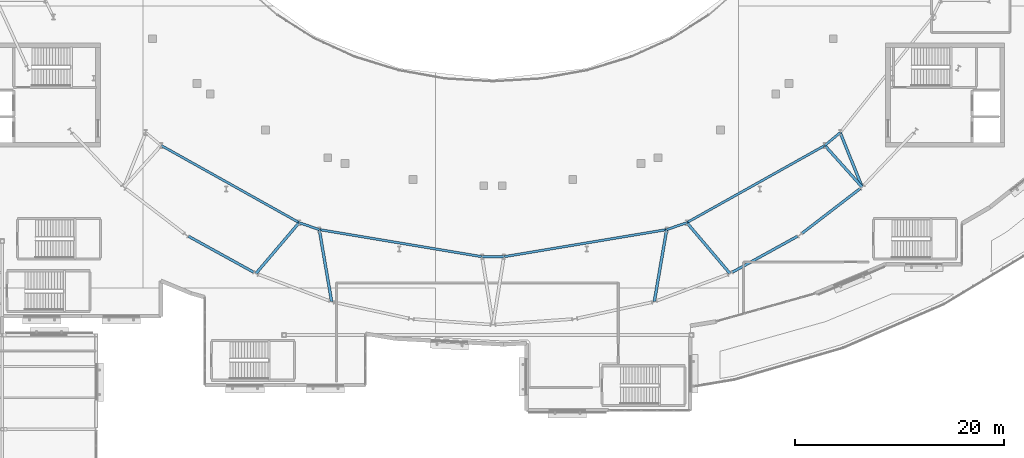
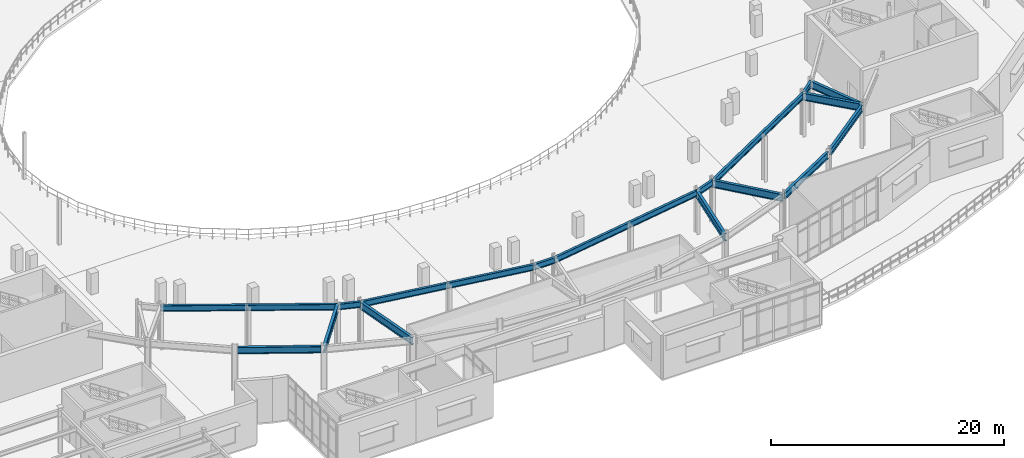
# One storey, part 35 of 84: 17 beams.
"""IFC4 building model written with IfcOpenShell, lengths in metres."""

import ifcopenshell
import ifcopenshell.guid

model = None  # the IFC model being written
_history = None  # IfcOwnerHistory: only IFC2X3 demands one
_inside = {}  # id of a spatial element -> (the spatial element, [elements in it])
_under = {}  # id of a project, library or spatial element -> (it, [spatial elements below it])
_declared = {}  # id of a project -> (the project, [libraries it declares])
_typed = {}  # id of a type object -> (the type object, [elements of that type])
_made_of = {}  # id of a material, layer set ... -> (it, [elements and type objects made of it])


def new_model(schema):
    """Start an empty IFC model of exactly this schema.

    Asked for "IFC4X3", IfcOpenShell would pick the latest addendum, in which some entities
    have other attributes; the version numbers below select the first issue.
    IFC2X3 requires an IfcOwnerHistory on every rooted entity: one is made here for all.
    """
    global model, _history
    if schema == "IFC4X3":
        model = ifcopenshell.file(schema_version=(4, 3, 0, 0))
    else:
        model = ifcopenshell.file(schema=schema)
    _inside.clear()
    _under.clear()
    _declared.clear()
    _typed.clear()
    _made_of.clear()
    _history = None
    if model.schema == "IFC2X3":
        org = make("IfcOrganization", Name="unknown")
        user = make(
            "IfcPersonAndOrganization",
            ThePerson=make("IfcPerson", FamilyName="unknown"),
            TheOrganization=org,
        )
        app = make(
            "IfcApplication",
            ApplicationDeveloper=org,
            Version="unknown",
            ApplicationFullName="unknown",
            ApplicationIdentifier="unknown",
        )
        _history = make(
            "IfcOwnerHistory",
            OwningUser=user,
            OwningApplication=app,
            ChangeAction="ADDED",
            CreationDate=0,
        )
    return model


def make(cls, **values):
    """One entity of the class cls with the attributes given. An attribute that is None is left unset."""
    return model.create_entity(
        cls, **{name: value for name, value in values.items() if value is not None}
    )


def rooted(cls, **values):
    """An entity with a GlobalId (a new one), such as an element, a storey or a relation."""
    return make(cls, GlobalId=ifcopenshell.guid.new(), OwnerHistory=_history, **values)


def si_unit(unit_type, name, prefix=None):
    """IfcSIUnit, for example si_unit("LENGTHUNIT", "METRE", prefix="MILLI")."""
    return make("IfcSIUnit", UnitType=unit_type, Prefix=prefix, Name=name)


def assignment(units):
    """IfcUnitAssignment: the units of a project."""
    return None if units is None else make("IfcUnitAssignment", Units=units)


def point(xyz):
    """IfcCartesianPoint."""
    return None if xyz is None else make("IfcCartesianPoint", Coordinates=xyz)


def direction(xyz):
    """IfcDirection."""
    return None if xyz is None else make("IfcDirection", DirectionRatios=xyz)


def frame(location, z_axis=None, x_axis=None):
    """IfcAxis2Placement3D, a coordinate frame: its origin and axes. An axis left out is left unset."""
    return make(
        "IfcAxis2Placement3D",
        Location=point(location),
        Axis=direction(z_axis),
        RefDirection=direction(x_axis),
    )


def frame_2d(location, x_axis=None):
    """IfcAxis2Placement2D, a coordinate frame in the plane: its origin and x axis."""
    return make(
        "IfcAxis2Placement2D", Location=point(location), RefDirection=direction(x_axis)
    )


def origin():
    """The frame at (0, 0, 0) with its axes left unset."""
    return frame((0.0, 0.0, 0.0))


def origin_2d():
    """The frame at (0, 0) in the plane with its x axis left unset."""
    return frame_2d((0.0, 0.0))


def place(relative_to, where):
    """IfcLocalPlacement: puts the frame where relative to a parent placement (None: the world)."""
    return make(
        "IfcLocalPlacement", PlacementRelTo=relative_to, RelativePlacement=where
    )


def context(
    kind, dimensions, precision=None, world=None, true_north=None, identifier=None
):
    """IfcGeometricRepresentationContext, for example the 3D "Model" context."""
    return make(
        "IfcGeometricRepresentationContext",
        ContextIdentifier=identifier,
        ContextType=kind,
        CoordinateSpaceDimension=dimensions,
        Precision=precision,
        WorldCoordinateSystem=world,
        TrueNorth=true_north,
    )


def subcontext(parent, identifier, kind, view, scale=None):
    """IfcGeometricRepresentationSubContext, for example "Body" below "Model"."""
    return make(
        "IfcGeometricRepresentationSubContext",
        ContextIdentifier=identifier,
        ContextType=kind,
        ParentContext=parent,
        TargetScale=scale,
        TargetView=view,
    )


def project(units=None, contexts=None):
    """IfcProject with its units and contexts."""
    return rooted(
        "IfcProject",
        Name="project",
        RepresentationContexts=contexts,
        UnitsInContext=assignment(units),
    )


def spatial(cls, under=None, at=None, **own):
    """A site, building, storey or space (cls), placed at a placement, below another one or the project."""
    s = rooted(cls, ObjectPlacement=at, **own)
    if under is not None:
        _under.setdefault(under.id(), (under, []))[1].append(s)
    return s


def profile(cls, at=None, kind="AREA", **sizes):
    """A parametric profile (cls). Its sizes go by their IFC names, for example OverallWidth=200.0."""
    return make(cls, ProfileType=kind, Position=at, **sizes)


def i_section(**sizes):
    """IfcIShapeProfileDef."""
    return profile("IfcIShapeProfileDef", **sizes)


def extrude(swept, where, along, depth):
    """IfcExtrudedAreaSolid: the profile swept, set in the frame where, extruded along a direction by depth."""
    return make(
        "IfcExtrudedAreaSolid",
        SweptArea=swept,
        Position=where,
        ExtrudedDirection=direction(along),
        Depth=depth,
    )


def shape(context_of_items, identifier, shape_type, items):
    """IfcShapeRepresentation: the items that make up one representation, for example the "Body"."""
    return make(
        "IfcShapeRepresentation",
        ContextOfItems=context_of_items,
        RepresentationIdentifier=identifier,
        RepresentationType=shape_type,
        Items=items,
    )


def material(Name=None, Category=None):
    """IfcMaterial."""
    return make("IfcMaterial", Name=Name, Category=Category)


def material_profile(
    of_material, cross_section, Name=None, Category=None, Priority=None
):
    """IfcMaterialProfile: a cross section and its material."""
    return make(
        "IfcMaterialProfile",
        Name=Name,
        Material=of_material,
        Profile=cross_section,
        Priority=Priority,
        Category=Category,
    )


def profile_set(profiles, Name=None, composite=None):
    """IfcMaterialProfileSet."""
    return make(
        "IfcMaterialProfileSet",
        Name=Name,
        MaterialProfiles=profiles,
        CompositeProfile=composite,
    )


def made_of(thing, what):
    """Note that an element or type object is made of a material, layer set ...; save() writes the relation."""
    if what is not None:
        _made_of.setdefault(what.id(), (what, []))[1].append(thing)
    return thing


def type_object(cls, material=None, **own):
    """A type object (cls), such as IfcWallType, which elements share."""
    return made_of(rooted(cls, **own), material)


def element(
    cls,
    number,
    at=None,
    inside=None,
    cuts=None,
    type_object=None,
    material=None,
    context=None,
    identifier="Body",
    shape_type=None,
    held_by="IfcProductDefinitionShape",
    body=None,
    shapes=None,
    **own,
):
    """One element of the class cls, such as IfcWall. Its Tag is "e" and its number.

    at: its placement. inside: the storey or other place that contains it. cuts: it is an
    opening in that element (IfcRelVoidsElement). A single representation is given by context,
    identifier, shape_type and body (its items); several are given by shapes. held_by: the class
    of the entity that holds the representations. save() writes the other relations.
    """
    e = rooted(cls, Tag="e%d" % number, ObjectPlacement=at, **own)
    if body is not None:
        shapes = [shape(context, identifier, shape_type, body)]
    if shapes is not None:
        e.Representation = make(held_by, Representations=shapes)
    if inside is not None:
        _inside.setdefault(inside.id(), (inside, []))[1].append(e)
    if cuts is not None:
        rooted(
            "IfcRelVoidsElement", RelatingBuildingElement=cuts, RelatedOpeningElement=e
        )
    if type_object is not None:
        _typed.setdefault(type_object.id(), (type_object, []))[1].append(e)
    return made_of(e, material)


def aggregate(whole, parts):
    """IfcRelAggregates: a whole, such as a stair, and the parts it consists of."""
    return rooted("IfcRelAggregates", RelatingObject=whole, RelatedObjects=parts)


def save(model, path):
    """Write the relations noted so far, then the file.

    IfcRelAggregates (storeys below a building ...), IfcRelContainedInSpatialStructure (elements
    in a storey), IfcRelDefinesByType, IfcRelAssociatesMaterial and IfcRelDeclares: one each for
    every whole, place, type object, material and project.
    """
    for whole, parts in _under.values():
        aggregate(whole, parts)
    for where, things in _inside.values():
        rooted(
            "IfcRelContainedInSpatialStructure",
            RelatedElements=things,
            RelatingStructure=where,
        )
    for kind, things in _typed.values():
        rooted("IfcRelDefinesByType", RelatedObjects=things, RelatingType=kind)
    for what, things in _made_of.values():
        rooted("IfcRelAssociatesMaterial", RelatedObjects=things, RelatingMaterial=what)
    for by, libraries in _declared.values():
        rooted("IfcRelDeclares", RelatingContext=by, RelatedDefinitions=libraries)
    model.write(path)


model = new_model("IFC4")

# Units and contexts
model_context = context("Model", 3, precision=1e-05, world=origin(), true_north=direction((0.0, 1.0)))
body_context = subcontext(model_context, "Body", "Model", "MODEL_VIEW")
ifc_project = project(units=[si_unit("LENGTHUNIT", "METRE"), si_unit("AREAUNIT", "SQUARE_METRE"), si_unit("VOLUMEUNIT", "CUBIC_METRE"), si_unit("PLANEANGLEUNIT", "RADIAN"), si_unit("MASSUNIT", "GRAM", prefix="KILO")], contexts=[model_context])

# Site, building, storey
site_placement = place(None, origin())
site = spatial("IfcSite", under=ifc_project, at=site_placement, CompositionType="ELEMENT")
building_placement = place(site_placement, origin())
building = spatial("IfcBuilding", under=site, at=building_placement, Name="Glasvene Arena", CompositionType="ELEMENT")
storey_placement = place(building_placement, frame((0.0, 0.0, 10.199951171875)))
storey = spatial("IfcBuildingStorey", under=building, at=storey_placement, Name="L02", CompositionType="ELEMENT", Elevation=10.199951171875)

# Beams
ifc_material = material(Name="Steel S355J2", Category="steel")
ifc_material_profile_1 = material_profile(ifc_material, i_section(OverallWidth=0.228271484375, OverallDepth=0.607666015625, WebThickness=0.010986328125, FlangeThickness=0.017333984375, FilletRadius=0.0126953125, at=origin_2d()), Name="UKB 610x229x113")
ifc_profile_set_1 = profile_set([ifc_material_profile_1], Name="Steel S355J2")
beam_type_1 = type_object("IfcBeamType", Name="BM-GIRD-610", PredefinedType="BEAM", material=ifc_profile_set_1)
beam_1_placement = place(storey_placement, frame((60.219482421875, 45.165771484375, 4.215087890625), z_axis=(0.87279341778, -0.488089796943, 0.0), x_axis=(0.488089796943, 0.87279341778, 0.0)))
element("IfcBeam", 1, at=beam_1_placement, inside=storey, type_object=beam_type_1, Name="Concourse inner ring girder L02-21", PredefinedType="BEAM", context=body_context, shape_type="SweptSolid", body=[
    extrude(i_section(OverallWidth=0.228271484375, OverallDepth=0.607666015625, WebThickness=0.010986328125, FlangeThickness=0.017333984375, FilletRadius=0.0126953125, at=origin_2d()), origin(), (0.0, 0.0, 1.0), 15.14404296875),
])
beam_2_placement = place(storey_placement, frame((73.43701171875, 37.774169921875, 4.215087890625), z_axis=(0.944798184006, -0.327652852114, 0.0), x_axis=(0.327652852114, 0.944798184006, 0.0)))
element("IfcBeam", 2, at=beam_2_placement, inside=storey, type_object=beam_type_1, Name="Concourse inner ring girder L02-22", PredefinedType="BEAM", context=body_context, shape_type="SweptSolid", body=[
    extrude(i_section(OverallWidth=0.228271484375, OverallDepth=0.607666015625, WebThickness=0.010986328125, FlangeThickness=0.017333984375, FilletRadius=0.0126953125, at=origin_2d()), origin(), (0.0, 0.0, 1.0), 2.040771484375),
])
beam_3_placement = place(storey_placement, frame((75.365234375, 37.10546875, 4.215087890625), z_axis=(0.986425216298, -0.164211122194, 0.0), x_axis=(0.164211122194, 0.986425216298, 0.0)))
element("IfcBeam", 3, at=beam_3_placement, inside=storey, type_object=beam_type_1, Name="Concourse inner ring girder L02-23", PredefinedType="BEAM", context=body_context, shape_type="SweptSolid", body=[
    extrude(i_section(OverallWidth=0.228271484375, OverallDepth=0.607666015625, WebThickness=0.010986328125, FlangeThickness=0.017333984375, FilletRadius=0.0126953125, at=origin_2d()), origin(), (0.0, 0.0, 1.0), 15.8056640625),
])
beam_4_placement = place(storey_placement, frame((90.956298828125, 34.510009765625, 4.215087890625), z_axis=(1.0, 0.0, 0.0), x_axis=(0.0, 1.0, 0.0)))
element("IfcBeam", 4, at=beam_4_placement, inside=storey, type_object=beam_type_1, Name="Concourse inner ring girder L02-24", PredefinedType="BEAM", context=body_context, shape_type="SweptSolid", body=[
    extrude(i_section(OverallWidth=0.228271484375, OverallDepth=0.607666015625, WebThickness=0.010986328125, FlangeThickness=0.017333984375, FilletRadius=0.0126953125, at=origin_2d()), origin(), (0.0, 0.0, 1.0), 2.08740234375),
])
beam_5_placement = place(storey_placement, frame((93.043701171875, 34.510009765625, 4.215087890625), z_axis=(0.986425216298, 0.164211122194, 0.0), x_axis=(-0.164211122194, 0.986425216298, 0.0)))
element("IfcBeam", 5, at=beam_5_placement, inside=storey, type_object=beam_type_1, Name="Concourse inner ring girder L02-25", PredefinedType="BEAM", context=body_context, shape_type="SweptSolid", body=[
    extrude(i_section(OverallWidth=0.228271484375, OverallDepth=0.607666015625, WebThickness=0.010986328125, FlangeThickness=0.017333984375, FilletRadius=0.0126953125, at=origin_2d()), origin(), (0.0, 0.0, 1.0), 15.8056640625),
])
beam_6_placement = place(storey_placement, frame((108.634765625, 37.10546875, 4.215087890625), z_axis=(0.944798184006, 0.327652852114, 0.0), x_axis=(-0.327652852114, 0.944798184006, 0.0)))
element("IfcBeam", 6, at=beam_6_placement, inside=storey, type_object=beam_type_1, Name="Concourse inner ring girder L02-26", PredefinedType="BEAM", context=body_context, shape_type="SweptSolid", body=[
    extrude(i_section(OverallWidth=0.228271484375, OverallDepth=0.607666015625, WebThickness=0.010986328125, FlangeThickness=0.017333984375, FilletRadius=0.0126953125, at=origin_2d()), origin(), (0.0, 0.0, 1.0), 2.040771484375),
])
beam_7_placement = place(storey_placement, frame((110.56298828125, 37.774169921875, 4.215087890625), z_axis=(0.87279341778, 0.488089796943, 0.0), x_axis=(-0.488089796943, 0.87279341778, 0.0)))
element("IfcBeam", 7, at=beam_7_placement, inside=storey, type_object=beam_type_1, Name="Concourse inner ring girder L02-27", PredefinedType="BEAM", context=body_context, shape_type="SweptSolid", body=[
    extrude(i_section(OverallWidth=0.228271484375, OverallDepth=0.607666015625, WebThickness=0.010986328125, FlangeThickness=0.017333984375, FilletRadius=0.0126953125, at=origin_2d()), origin(), (0.0, 0.0, 1.0), 15.14404296875),
])
beam_8_placement = place(storey_placement, frame((123.780517578125, 45.165771484375, 4.215087890625), z_axis=(0.766930434436, 0.641730246082, 0.0), x_axis=(-0.641730246082, 0.766930434436, 0.0)))
element("IfcBeam", 8, at=beam_8_placement, inside=storey, type_object=beam_type_1, Name="Concourse inner ring girder L02-28", PredefinedType="BEAM", context=body_context, shape_type="SweptSolid", body=[
    extrude(i_section(OverallWidth=0.228271484375, OverallDepth=0.607666015625, WebThickness=0.010986328125, FlangeThickness=0.017333984375, FilletRadius=0.0126953125, at=origin_2d()), origin(), (0.0, 0.0, 1.0), 1.924560546875),
])
ifc_material_profile_2 = material_profile(ifc_material, i_section(OverallWidth=0.253662109375, OverallDepth=0.68359375, WebThickness=0.012451171875, FlangeThickness=0.01904296875, FilletRadius=0.01513671875, at=origin_2d()), Name="UKB 686x254x140")
ifc_profile_set_2 = profile_set([ifc_material_profile_2], Name="Steel S355J2")
beam_type_2 = type_object("IfcBeamType", Name="BM-GIRD-686", PredefinedType="BEAM", material=ifc_profile_set_2)
for number, where, z_axis, x_axis, name in (
    (9, (62.82080078125, 36.478271484375, 4.178466796875), (0.875653765723, -0.482939419156, 0.0), (0.482939419156, 0.875653765723, 0.0), "Bowl ring chord beam L02-27"),
    (10, (114.90966796875, 33.0205078125, 4.178466796875), (0.875653765723, 0.482939419156, 0.0), (-0.482939419156, 0.875653765723, 0.0), "Bowl ring chord beam L02-34"),
):
    element("IfcBeam", number, at=place(storey_placement, frame(where, z_axis=z_axis, x_axis=x_axis)), inside=storey, type_object=beam_type_2, Name=name, PredefinedType="BEAM", context=body_context, shape_type="SweptSolid", body=[
        extrude(i_section(OverallWidth=0.253662109375, OverallDepth=0.68359375, WebThickness=0.012451171875, FlangeThickness=0.01904296875, FilletRadius=0.01513671875, at=origin_2d()), origin(), (0.0, 0.0, 1.0), 7.159912109375),
    ])
beam_9_placement = place(storey_placement, frame((121.57958984375, 36.740478515625, 4.178466796875), z_axis=(0.792832644474, 0.609439412786, 0.0), x_axis=(-0.609439412786, 0.792832644474, 0.0)))
element("IfcBeam", 11, at=beam_9_placement, inside=storey, type_object=beam_type_2, Name="Bowl ring chord beam L02-35", PredefinedType="BEAM", context=body_context, shape_type="SweptSolid", body=[
    extrude(i_section(OverallWidth=0.253662109375, OverallDepth=0.68359375, WebThickness=0.012451171875, FlangeThickness=0.01904296875, FilletRadius=0.01513671875, at=origin_2d()), origin(), (0.0, 0.0, 1.0), 7.044921875),
])
ifc_material_profile_3 = material_profile(ifc_material, i_section(OverallWidth=0.2666015625, OverallDepth=0.76220703125, WebThickness=0.014404296875, FlangeThickness=0.021484375, FilletRadius=0.0166015625, at=origin_2d()), Name="UKB 762x267x173")
ifc_profile_set_3 = profile_set([ifc_material_profile_3], Name="Steel S355J2")
beam_type_3 = type_object("IfcBeamType", Name="BM-GIRD-762", PredefinedType="BEAM", material=ifc_profile_set_3)
beam_10_placement = place(storey_placement, frame((73.43701171875, 37.774169921875, 4.138916015625), z_axis=(-0.647421006623, -0.762132560768, 0.0), x_axis=(0.762132560768, -0.647421006623, 0.0)))
element("IfcBeam", 12, at=beam_10_placement, inside=storey, type_object=beam_type_3, Name="Radial concourse girder L02-22", PredefinedType="BEAM", context=body_context, shape_type="SweptSolid", body=[
    extrude(i_section(OverallWidth=0.2666015625, OverallDepth=0.76220703125, WebThickness=0.014404296875, FlangeThickness=0.021484375, FilletRadius=0.0166015625, at=origin_2d()), origin(), (0.0, 0.0, 1.0), 6.38916015625),
])
for number, where, z_axis, x_axis, name in (
    (13, (75.365234375, 37.10546875, 4.138916015625), (0.169060564867, -0.985605664253, 0.0), (0.985605664253, 0.169060564867, 0.0), "Radial concourse girder L02-23"),
    (14, (108.634765625, 37.10546875, 4.138916015625), (-0.169060564867, -0.985605664253, 0.0), (0.985605664253, -0.169060564867, 0.0), "Radial concourse girder L02-26"),
):
    element("IfcBeam", number, at=place(storey_placement, frame(where, z_axis=z_axis, x_axis=x_axis)), inside=storey, type_object=beam_type_3, Name=name, PredefinedType="BEAM", context=body_context, shape_type="SweptSolid", body=[
        extrude(i_section(OverallWidth=0.2666015625, OverallDepth=0.76220703125, WebThickness=0.014404296875, FlangeThickness=0.021484375, FilletRadius=0.0166015625, at=origin_2d()), origin(), (0.0, 0.0, 1.0), 7.00390625),
    ])
beam_11_placement = place(storey_placement, frame((110.56298828125, 37.774169921875, 4.138916015625), z_axis=(0.647421006623, -0.762132560768, 0.0), x_axis=(0.762132560768, 0.647421006623, 0.0)))
element("IfcBeam", 15, at=beam_11_placement, inside=storey, type_object=beam_type_3, Name="Radial concourse girder L02-27", PredefinedType="BEAM", context=body_context, shape_type="SweptSolid", body=[
    extrude(i_section(OverallWidth=0.2666015625, OverallDepth=0.76220703125, WebThickness=0.014404296875, FlangeThickness=0.021484375, FilletRadius=0.0166015625, at=origin_2d()), origin(), (0.0, 0.0, 1.0), 6.38916015625),
])
beam_12_placement = place(storey_placement, frame((123.780517578125, 45.165771484375, 4.138916015625), z_axis=(0.667691455448, -0.744438123904, 0.0), x_axis=(0.744438123904, 0.667691455448, 0.0)))
element("IfcBeam", 16, at=beam_12_placement, inside=storey, type_object=beam_type_3, Name="Radial concourse girder L02-28", PredefinedType="BEAM", context=body_context, shape_type="SweptSolid", body=[
    extrude(i_section(OverallWidth=0.2666015625, OverallDepth=0.76220703125, WebThickness=0.014404296875, FlangeThickness=0.021484375, FilletRadius=0.0166015625, at=origin_2d()), origin(), (0.0, 0.0, 1.0), 5.353759765625),
])
beam_13_placement = place(storey_placement, frame((125.256591796875, 46.40087890625, 4.138916015625), z_axis=(0.372976095384, -0.927840952034, 0.0), x_axis=(0.927840952034, 0.372976095384, 0.0)))
element("IfcBeam", 17, at=beam_13_placement, inside=storey, type_object=beam_type_3, Name="Radial concourse girder L02-29", PredefinedType="BEAM", context=body_context, shape_type="SweptSolid", body=[
    extrude(i_section(OverallWidth=0.2666015625, OverallDepth=0.76220703125, WebThickness=0.014404296875, FlangeThickness=0.021484375, FilletRadius=0.0166015625, at=origin_2d()), origin(), (0.0, 0.0, 1.0), 5.626708984375),
])

save(model, "model.ifc")
